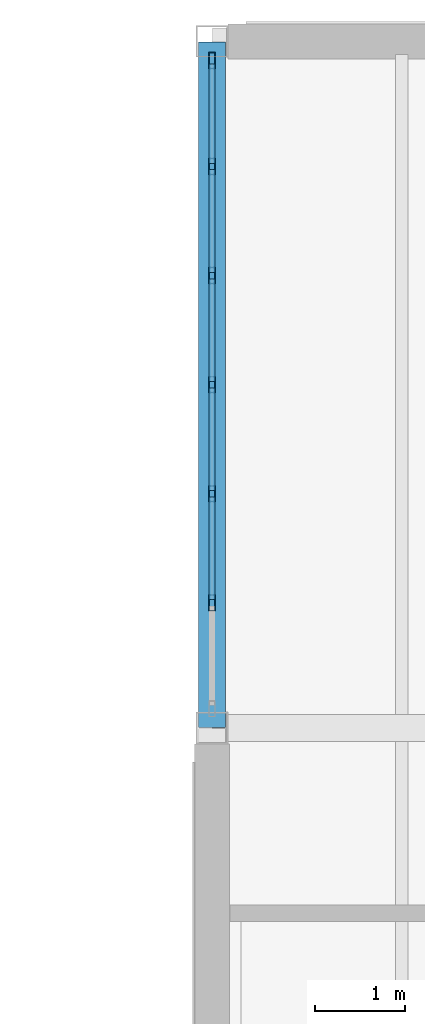
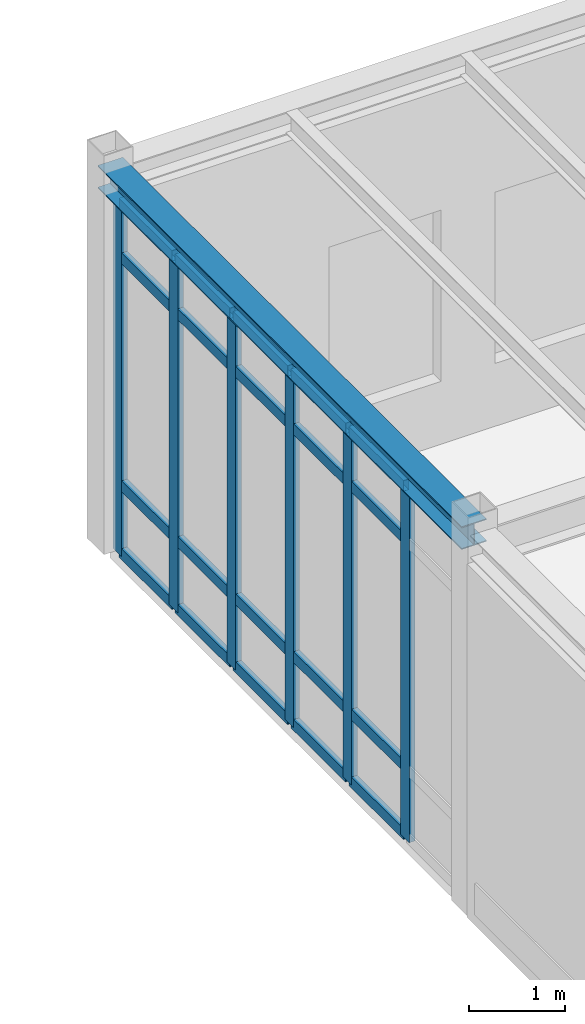
# One storey, part 57 of 109: 26 members, 1 beam, 1 element without a shape of its own.
"""IFC4 building model written with IfcOpenShell, lengths in metres."""

import ifcopenshell
import ifcopenshell.guid

model = None  # the IFC model being written
_history = None  # IfcOwnerHistory: only IFC2X3 demands one
_inside = {}  # id of a spatial element -> (the spatial element, [elements in it])
_under = {}  # id of a project, library or spatial element -> (it, [spatial elements below it])
_declared = {}  # id of a project -> (the project, [libraries it declares])
_typed = {}  # id of a type object -> (the type object, [elements of that type])
_made_of = {}  # id of a material, layer set ... -> (it, [elements and type objects made of it])


def new_model(schema):
    """Start an empty IFC model of exactly this schema.

    Asked for "IFC4X3", IfcOpenShell would pick the latest addendum, in which some entities
    have other attributes; the version numbers below select the first issue.
    IFC2X3 requires an IfcOwnerHistory on every rooted entity: one is made here for all.
    """
    global model, _history
    if schema == "IFC4X3":
        model = ifcopenshell.file(schema_version=(4, 3, 0, 0))
    else:
        model = ifcopenshell.file(schema=schema)
    _inside.clear()
    _under.clear()
    _declared.clear()
    _typed.clear()
    _made_of.clear()
    _history = None
    if model.schema == "IFC2X3":
        org = make("IfcOrganization", Name="unknown")
        user = make(
            "IfcPersonAndOrganization",
            ThePerson=make("IfcPerson", FamilyName="unknown"),
            TheOrganization=org,
        )
        app = make(
            "IfcApplication",
            ApplicationDeveloper=org,
            Version="unknown",
            ApplicationFullName="unknown",
            ApplicationIdentifier="unknown",
        )
        _history = make(
            "IfcOwnerHistory",
            OwningUser=user,
            OwningApplication=app,
            ChangeAction="ADDED",
            CreationDate=0,
        )
    return model


def make(cls, **values):
    """One entity of the class cls with the attributes given. An attribute that is None is left unset."""
    return model.create_entity(
        cls, **{name: value for name, value in values.items() if value is not None}
    )


def rooted(cls, **values):
    """An entity with a GlobalId (a new one), such as an element, a storey or a relation."""
    return make(cls, GlobalId=ifcopenshell.guid.new(), OwnerHistory=_history, **values)


def si_unit(unit_type, name, prefix=None):
    """IfcSIUnit, for example si_unit("LENGTHUNIT", "METRE", prefix="MILLI")."""
    return make("IfcSIUnit", UnitType=unit_type, Prefix=prefix, Name=name)


def assignment(units):
    """IfcUnitAssignment: the units of a project."""
    return None if units is None else make("IfcUnitAssignment", Units=units)


def point(xyz):
    """IfcCartesianPoint."""
    return None if xyz is None else make("IfcCartesianPoint", Coordinates=xyz)


def direction(xyz):
    """IfcDirection."""
    return None if xyz is None else make("IfcDirection", DirectionRatios=xyz)


def frame(location, z_axis=None, x_axis=None):
    """IfcAxis2Placement3D, a coordinate frame: its origin and axes. An axis left out is left unset."""
    return make(
        "IfcAxis2Placement3D",
        Location=point(location),
        Axis=direction(z_axis),
        RefDirection=direction(x_axis),
    )


def frame_2d(location, x_axis=None):
    """IfcAxis2Placement2D, a coordinate frame in the plane: its origin and x axis."""
    return make(
        "IfcAxis2Placement2D", Location=point(location), RefDirection=direction(x_axis)
    )


def origin():
    """The frame at (0, 0, 0) with its axes left unset."""
    return frame((0.0, 0.0, 0.0))


def origin_2d():
    """The frame at (0, 0) in the plane with its x axis left unset."""
    return frame_2d((0.0, 0.0))


def place(relative_to, where):
    """IfcLocalPlacement: puts the frame where relative to a parent placement (None: the world)."""
    return make(
        "IfcLocalPlacement", PlacementRelTo=relative_to, RelativePlacement=where
    )


def context(
    kind, dimensions, precision=None, world=None, true_north=None, identifier=None
):
    """IfcGeometricRepresentationContext, for example the 3D "Model" context."""
    return make(
        "IfcGeometricRepresentationContext",
        ContextIdentifier=identifier,
        ContextType=kind,
        CoordinateSpaceDimension=dimensions,
        Precision=precision,
        WorldCoordinateSystem=world,
        TrueNorth=true_north,
    )


def subcontext(parent, identifier, kind, view, scale=None):
    """IfcGeometricRepresentationSubContext, for example "Body" below "Model"."""
    return make(
        "IfcGeometricRepresentationSubContext",
        ContextIdentifier=identifier,
        ContextType=kind,
        ParentContext=parent,
        TargetScale=scale,
        TargetView=view,
    )


def project(units=None, contexts=None):
    """IfcProject with its units and contexts."""
    return rooted(
        "IfcProject",
        Name="project",
        RepresentationContexts=contexts,
        UnitsInContext=assignment(units),
    )


def spatial(cls, under=None, at=None, **own):
    """A site, building, storey or space (cls), placed at a placement, below another one or the project."""
    s = rooted(cls, ObjectPlacement=at, **own)
    if under is not None:
        _under.setdefault(under.id(), (under, []))[1].append(s)
    return s


def profile(cls, at=None, kind="AREA", **sizes):
    """A parametric profile (cls). Its sizes go by their IFC names, for example OverallWidth=200.0."""
    return make(cls, ProfileType=kind, Position=at, **sizes)


def hollow_rectangle(**sizes):
    """IfcRectangleHollowProfileDef."""
    return profile("IfcRectangleHollowProfileDef", **sizes)


def i_section(**sizes):
    """IfcIShapeProfileDef."""
    return profile("IfcIShapeProfileDef", **sizes)


def extrude(swept, where, along, depth):
    """IfcExtrudedAreaSolid: the profile swept, set in the frame where, extruded along a direction by depth."""
    return make(
        "IfcExtrudedAreaSolid",
        SweptArea=swept,
        Position=where,
        ExtrudedDirection=direction(along),
        Depth=depth,
    )


def shape(context_of_items, identifier, shape_type, items):
    """IfcShapeRepresentation: the items that make up one representation, for example the "Body"."""
    return make(
        "IfcShapeRepresentation",
        ContextOfItems=context_of_items,
        RepresentationIdentifier=identifier,
        RepresentationType=shape_type,
        Items=items,
    )


def material(Name=None, Category=None):
    """IfcMaterial."""
    return make("IfcMaterial", Name=Name, Category=Category)


def layer(
    of_material, thickness, ventilated=None, Name=None, Category=None, Priority=None
):
    """IfcMaterialLayer: one layer of a wall or slab, of a material (None: an air gap)."""
    return make(
        "IfcMaterialLayer",
        Material=of_material,
        LayerThickness=thickness,
        IsVentilated=ventilated,
        Name=Name,
        Category=Category,
        Priority=Priority,
    )


def layer_set(layers, Name=None):
    """IfcMaterialLayerSet."""
    return make("IfcMaterialLayerSet", MaterialLayers=layers, LayerSetName=Name)


def material_profile(
    of_material, cross_section, Name=None, Category=None, Priority=None
):
    """IfcMaterialProfile: a cross section and its material."""
    return make(
        "IfcMaterialProfile",
        Name=Name,
        Material=of_material,
        Profile=cross_section,
        Priority=Priority,
        Category=Category,
    )


def profile_set(profiles, Name=None, composite=None):
    """IfcMaterialProfileSet."""
    return make(
        "IfcMaterialProfileSet",
        Name=Name,
        MaterialProfiles=profiles,
        CompositeProfile=composite,
    )


def made_of(thing, what):
    """Note that an element or type object is made of a material, layer set ...; save() writes the relation."""
    if what is not None:
        _made_of.setdefault(what.id(), (what, []))[1].append(thing)
    return thing


def type_object(cls, material=None, **own):
    """A type object (cls), such as IfcWallType, which elements share."""
    return made_of(rooted(cls, **own), material)


def element(
    cls,
    number,
    at=None,
    inside=None,
    cuts=None,
    type_object=None,
    material=None,
    context=None,
    identifier="Body",
    shape_type=None,
    held_by="IfcProductDefinitionShape",
    body=None,
    shapes=None,
    **own,
):
    """One element of the class cls, such as IfcWall. Its Tag is "e" and its number.

    at: its placement. inside: the storey or other place that contains it. cuts: it is an
    opening in that element (IfcRelVoidsElement). A single representation is given by context,
    identifier, shape_type and body (its items); several are given by shapes. held_by: the class
    of the entity that holds the representations. save() writes the other relations.
    """
    e = rooted(cls, Tag="e%d" % number, ObjectPlacement=at, **own)
    if body is not None:
        shapes = [shape(context, identifier, shape_type, body)]
    if shapes is not None:
        e.Representation = make(held_by, Representations=shapes)
    if inside is not None:
        _inside.setdefault(inside.id(), (inside, []))[1].append(e)
    if cuts is not None:
        rooted(
            "IfcRelVoidsElement", RelatingBuildingElement=cuts, RelatedOpeningElement=e
        )
    if type_object is not None:
        _typed.setdefault(type_object.id(), (type_object, []))[1].append(e)
    return made_of(e, material)


def aggregate(whole, parts):
    """IfcRelAggregates: a whole, such as a stair, and the parts it consists of."""
    return rooted("IfcRelAggregates", RelatingObject=whole, RelatedObjects=parts)


def save(model, path):
    """Write the relations noted so far, then the file.

    IfcRelAggregates (storeys below a building ...), IfcRelContainedInSpatialStructure (elements
    in a storey), IfcRelDefinesByType, IfcRelAssociatesMaterial and IfcRelDeclares: one each for
    every whole, place, type object, material and project.
    """
    for whole, parts in _under.values():
        aggregate(whole, parts)
    for where, things in _inside.values():
        rooted(
            "IfcRelContainedInSpatialStructure",
            RelatedElements=things,
            RelatingStructure=where,
        )
    for kind, things in _typed.values():
        rooted("IfcRelDefinesByType", RelatedObjects=things, RelatingType=kind)
    for what, things in _made_of.values():
        rooted("IfcRelAssociatesMaterial", RelatedObjects=things, RelatingMaterial=what)
    for by, libraries in _declared.values():
        rooted("IfcRelDeclares", RelatingContext=by, RelatedDefinitions=libraries)
    model.write(path)


model = new_model("IFC4")

# Units and contexts
model_context = context("Model", 3, precision=1e-05, world=origin(), true_north=direction((0.0, 1.0)))
body_context = subcontext(model_context, "Body", "Model", "MODEL_VIEW")
ifc_project = project(units=[si_unit("LENGTHUNIT", "METRE"), si_unit("AREAUNIT", "SQUARE_METRE"), si_unit("VOLUMEUNIT", "CUBIC_METRE"), si_unit("PLANEANGLEUNIT", "RADIAN"), si_unit("MASSUNIT", "GRAM", prefix="KILO")], contexts=[model_context])

# Site, building, storey
site_placement = place(None, origin())
site = spatial("IfcSite", under=ifc_project, at=site_placement, CompositionType="ELEMENT")
building_placement = place(site_placement, origin())
building = spatial("IfcBuilding", under=site, at=building_placement, Name="Montecoro Central Library", CompositionType="ELEMENT")
storey_placement = place(building_placement, origin())
storey = spatial("IfcBuildingStorey", under=building, at=storey_placement, Name="L00", CompositionType="ELEMENT", Elevation=0.0)

# Beam
ifc_material_1 = material(Name="Steel S355", Category="steel")
ifc_material_profile_1 = material_profile(ifc_material_1, i_section(OverallWidth=0.300048828125, OverallDepth=0.2900390625, WebThickness=0.008544921875, FlangeThickness=0.013916015625, at=origin_2d()), Name="HEA 300")
ifc_profile_set_1 = profile_set([ifc_material_profile_1], Name="Steel S355")
beam_type = type_object("IfcBeamType", Name="BM-SP-HEA300", PredefinedType="SPANDREL", material=ifc_profile_set_1)
beam_placement = place(storey_placement, frame((66.39990234375, 111.405029296875, 4.699951171875), z_axis=(0.0, 1.0, 0.0), x_axis=(-1.0, 0.0, 0.0)))
element("IfcBeam", 1, at=beam_placement, inside=storey, type_object=beam_type, Name="V2-L00-BY-9-QR", PredefinedType="SPANDREL", context=body_context, shape_type="SweptSolid", body=[
    extrude(i_section(OverallWidth=0.300048828125, OverallDepth=0.2900390625, WebThickness=0.008544921875, FlangeThickness=0.013916015625, at=origin_2d()), origin(), (0.0, 0.0, 1.0), 7.590087890625),
])

# Curtain wall, members
ifc_material_2 = material(Name="Bronze-anodised aluminium and low-E glazing", Category="aluminium")
ifc_layer = layer(ifc_material_2, 0.159912109375)
ifc_layer_set = layer_set([ifc_layer], Name="Bronze-anodised aluminium and low-E glazing")
curtain_wall_type = type_object("IfcCurtainWallType", Name="CWT-009", PredefinedType="NOTDEFINED", material=ifc_layer_set)
curtain_wall_placement = place(storey_placement, origin())
curtain_wall = element("IfcCurtainWall", 2, at=curtain_wall_placement, inside=storey, type_object=curtain_wall_type, Name="V2-L00-CW-W4", PredefinedType="NOTDEFINED")
ifc_material_3 = material(Name="Bronze-anodised aluminium", Category="aluminium")
ifc_material_profile_2 = material_profile(ifc_material_3, hollow_rectangle(XDim=0.070068359375, YDim=0.179931640625, WallThickness=0.0048828125, at=origin_2d()), Name="CWM 180x70x5.0")
ifc_profile_set_2 = profile_set([ifc_material_profile_2], Name="Bronze-anodised aluminium")
member_type_1 = type_object("IfcMemberType", Name="CWM-BRZ-70", PredefinedType="MULLION", material=ifc_profile_set_2)
member_1_placement = place(storey_placement, frame((66.39990234375, 118.787109375, 0.0), z_axis=(0.0, 0.0, 1.0), x_axis=(1.0, 0.0, 0.0)))
member_1 = element("IfcMember", 3, at=member_1_placement, type_object=member_type_1, Name="CW-009 mullion 1", PredefinedType="MULLION", context=body_context, shape_type="SweptSolid", body=[
    extrude(hollow_rectangle(XDim=0.070068359375, YDim=0.179931640625, WallThickness=0.0048828125, at=origin_2d()), origin(), (0.0, 0.0, 1.0), 4.5),
])
member_2_placement = place(storey_placement, frame((66.39990234375, 117.61474609375, 0.0), z_axis=(0.0, 0.0, 1.0), x_axis=(1.0, 0.0, 0.0)))
member_2 = element("IfcMember", 4, at=member_2_placement, type_object=member_type_1, Name="CW-009 mullion 2", PredefinedType="MULLION", context=body_context, shape_type="SweptSolid", body=[
    extrude(hollow_rectangle(XDim=0.070068359375, YDim=0.179931640625, WallThickness=0.0048828125, at=origin_2d()), origin(), (0.0, 0.0, 1.0), 4.5),
])
member_3_placement = place(storey_placement, frame((66.39990234375, 116.4072265625, 0.0), z_axis=(0.0, 0.0, 1.0), x_axis=(1.0, 0.0, 0.0)))
member_3 = element("IfcMember", 5, at=member_3_placement, type_object=member_type_1, Name="CW-009 mullion 3", PredefinedType="MULLION", context=body_context, shape_type="SweptSolid", body=[
    extrude(hollow_rectangle(XDim=0.070068359375, YDim=0.179931640625, WallThickness=0.0048828125, at=origin_2d()), origin(), (0.0, 0.0, 1.0), 4.5),
])
member_4_placement = place(storey_placement, frame((66.39990234375, 115.199951171875, 0.0), z_axis=(0.0, 0.0, 1.0), x_axis=(1.0, 0.0, 0.0)))
member_4 = element("IfcMember", 6, at=member_4_placement, type_object=member_type_1, Name="CW-009 mullion 4", PredefinedType="MULLION", context=body_context, shape_type="SweptSolid", body=[
    extrude(hollow_rectangle(XDim=0.070068359375, YDim=0.179931640625, WallThickness=0.0048828125, at=origin_2d()), origin(), (0.0, 0.0, 1.0), 4.5),
])
member_5_placement = place(storey_placement, frame((66.39990234375, 113.99267578125, 0.0), z_axis=(0.0, 0.0, 1.0), x_axis=(1.0, 0.0, 0.0)))
member_5 = element("IfcMember", 7, at=member_5_placement, type_object=member_type_1, Name="CW-009 mullion 5", PredefinedType="MULLION", context=body_context, shape_type="SweptSolid", body=[
    extrude(hollow_rectangle(XDim=0.070068359375, YDim=0.179931640625, WallThickness=0.0048828125, at=origin_2d()), origin(), (0.0, 0.0, 1.0), 4.5),
])
member_6_placement = place(storey_placement, frame((66.39990234375, 112.785400390625, 0.0), z_axis=(0.0, 0.0, 1.0), x_axis=(1.0, 0.0, 0.0)))
member_6 = element("IfcMember", 8, at=member_6_placement, type_object=member_type_1, Name="CW-009 mullion 6", PredefinedType="MULLION", context=body_context, shape_type="SweptSolid", body=[
    extrude(hollow_rectangle(XDim=0.070068359375, YDim=0.179931640625, WallThickness=0.0048828125, at=origin_2d()), origin(), (0.0, 0.0, 1.0), 4.5),
])
ifc_material_profile_3 = material_profile(ifc_material_3, hollow_rectangle(XDim=0.070068359375, YDim=0.139892578125, WallThickness=0.00390625, at=origin_2d()), Name="CWT 140x70x4.0")
ifc_profile_set_3 = profile_set([ifc_material_profile_3], Name="Bronze-anodised aluminium")
member_type_2 = type_object("IfcMemberType", Name="CWT-BRZ-70", PredefinedType="USERDEFINED", material=ifc_profile_set_3)
member_7_placement = place(storey_placement, frame((66.39990234375, 118.751953125, 0.034912109375), z_axis=(0.0, -1.0, 0.0), x_axis=(1.0, 0.0, 0.0)))
member_7 = element("IfcMember", 9, at=member_7_placement, type_object=member_type_2, Name="CW-009 transom 1.1", ObjectType="TRANSOM", PredefinedType="USERDEFINED", context=body_context, shape_type="SweptSolid", body=[
    extrude(hollow_rectangle(XDim=0.070068359375, YDim=0.139892578125, WallThickness=0.00390625, at=origin_2d()), origin(), (0.0, 0.0, 1.0), 1.102294921875),
])
member_8_placement = place(storey_placement, frame((66.39990234375, 118.751953125, 0.89990234375), z_axis=(0.0, -1.0, 0.0), x_axis=(1.0, 0.0, 0.0)))
member_8 = element("IfcMember", 10, at=member_8_placement, type_object=member_type_2, Name="CW-009 transom 1.2", ObjectType="TRANSOM", PredefinedType="USERDEFINED", context=body_context, shape_type="SweptSolid", body=[
    extrude(hollow_rectangle(XDim=0.070068359375, YDim=0.139892578125, WallThickness=0.00390625, at=origin_2d()), origin(), (0.0, 0.0, 1.0), 1.102294921875),
])
member_9_placement = place(storey_placement, frame((66.39990234375, 118.751953125, 3.800048828125), z_axis=(0.0, -1.0, 0.0), x_axis=(1.0, 0.0, 0.0)))
member_9 = element("IfcMember", 11, at=member_9_placement, type_object=member_type_2, Name="CW-009 transom 1.3", ObjectType="TRANSOM", PredefinedType="USERDEFINED", context=body_context, shape_type="SweptSolid", body=[
    extrude(hollow_rectangle(XDim=0.070068359375, YDim=0.139892578125, WallThickness=0.00390625, at=origin_2d()), origin(), (0.0, 0.0, 1.0), 1.102294921875),
])
member_10_placement = place(storey_placement, frame((66.39990234375, 118.751953125, 4.465087890625), z_axis=(0.0, -1.0, 0.0), x_axis=(1.0, 0.0, 0.0)))
member_10 = element("IfcMember", 12, at=member_10_placement, type_object=member_type_2, Name="CW-009 transom 1.4", ObjectType="TRANSOM", PredefinedType="USERDEFINED", context=body_context, shape_type="SweptSolid", body=[
    extrude(hollow_rectangle(XDim=0.070068359375, YDim=0.139892578125, WallThickness=0.00390625, at=origin_2d()), origin(), (0.0, 0.0, 1.0), 1.102294921875),
])
member_11_placement = place(storey_placement, frame((66.39990234375, 117.57958984375, 0.034912109375), z_axis=(0.0, -1.0, 0.0), x_axis=(1.0, 0.0, 0.0)))
member_11 = element("IfcMember", 13, at=member_11_placement, type_object=member_type_2, Name="CW-009 transom 2.1", ObjectType="TRANSOM", PredefinedType="USERDEFINED", context=body_context, shape_type="SweptSolid", body=[
    extrude(hollow_rectangle(XDim=0.070068359375, YDim=0.139892578125, WallThickness=0.00390625, at=origin_2d()), origin(), (0.0, 0.0, 1.0), 1.13720703125),
])
member_12_placement = place(storey_placement, frame((66.39990234375, 117.57958984375, 0.89990234375), z_axis=(0.0, -1.0, 0.0), x_axis=(1.0, 0.0, 0.0)))
member_12 = element("IfcMember", 14, at=member_12_placement, type_object=member_type_2, Name="CW-009 transom 2.2", ObjectType="TRANSOM", PredefinedType="USERDEFINED", context=body_context, shape_type="SweptSolid", body=[
    extrude(hollow_rectangle(XDim=0.070068359375, YDim=0.139892578125, WallThickness=0.00390625, at=origin_2d()), origin(), (0.0, 0.0, 1.0), 1.13720703125),
])
member_13_placement = place(storey_placement, frame((66.39990234375, 117.57958984375, 3.800048828125), z_axis=(0.0, -1.0, 0.0), x_axis=(1.0, 0.0, 0.0)))
member_13 = element("IfcMember", 15, at=member_13_placement, type_object=member_type_2, Name="CW-009 transom 2.3", ObjectType="TRANSOM", PredefinedType="USERDEFINED", context=body_context, shape_type="SweptSolid", body=[
    extrude(hollow_rectangle(XDim=0.070068359375, YDim=0.139892578125, WallThickness=0.00390625, at=origin_2d()), origin(), (0.0, 0.0, 1.0), 1.13720703125),
])
member_14_placement = place(storey_placement, frame((66.39990234375, 117.57958984375, 4.465087890625), z_axis=(0.0, -1.0, 0.0), x_axis=(1.0, 0.0, 0.0)))
member_14 = element("IfcMember", 16, at=member_14_placement, type_object=member_type_2, Name="CW-009 transom 2.4", ObjectType="TRANSOM", PredefinedType="USERDEFINED", context=body_context, shape_type="SweptSolid", body=[
    extrude(hollow_rectangle(XDim=0.070068359375, YDim=0.139892578125, WallThickness=0.00390625, at=origin_2d()), origin(), (0.0, 0.0, 1.0), 1.13720703125),
])
member_15_placement = place(storey_placement, frame((66.39990234375, 116.372314453125, 0.034912109375), z_axis=(0.0, -1.0, 0.0), x_axis=(1.0, 0.0, 0.0)))
member_15 = element("IfcMember", 17, at=member_15_placement, type_object=member_type_2, Name="CW-009 transom 3.1", ObjectType="TRANSOM", PredefinedType="USERDEFINED", context=body_context, shape_type="SweptSolid", body=[
    extrude(hollow_rectangle(XDim=0.070068359375, YDim=0.139892578125, WallThickness=0.00390625, at=origin_2d()), origin(), (0.0, 0.0, 1.0), 1.13720703125),
])
member_16_placement = place(storey_placement, frame((66.39990234375, 116.372314453125, 0.89990234375), z_axis=(0.0, -1.0, 0.0), x_axis=(1.0, 0.0, 0.0)))
member_16 = element("IfcMember", 18, at=member_16_placement, type_object=member_type_2, Name="CW-009 transom 3.2", ObjectType="TRANSOM", PredefinedType="USERDEFINED", context=body_context, shape_type="SweptSolid", body=[
    extrude(hollow_rectangle(XDim=0.070068359375, YDim=0.139892578125, WallThickness=0.00390625, at=origin_2d()), origin(), (0.0, 0.0, 1.0), 1.13720703125),
])
member_17_placement = place(storey_placement, frame((66.39990234375, 116.372314453125, 3.800048828125), z_axis=(0.0, -1.0, 0.0), x_axis=(1.0, 0.0, 0.0)))
member_17 = element("IfcMember", 19, at=member_17_placement, type_object=member_type_2, Name="CW-009 transom 3.3", ObjectType="TRANSOM", PredefinedType="USERDEFINED", context=body_context, shape_type="SweptSolid", body=[
    extrude(hollow_rectangle(XDim=0.070068359375, YDim=0.139892578125, WallThickness=0.00390625, at=origin_2d()), origin(), (0.0, 0.0, 1.0), 1.13720703125),
])
member_18_placement = place(storey_placement, frame((66.39990234375, 116.372314453125, 4.465087890625), z_axis=(0.0, -1.0, 0.0), x_axis=(1.0, 0.0, 0.0)))
member_18 = element("IfcMember", 20, at=member_18_placement, type_object=member_type_2, Name="CW-009 transom 3.4", ObjectType="TRANSOM", PredefinedType="USERDEFINED", context=body_context, shape_type="SweptSolid", body=[
    extrude(hollow_rectangle(XDim=0.070068359375, YDim=0.139892578125, WallThickness=0.00390625, at=origin_2d()), origin(), (0.0, 0.0, 1.0), 1.13720703125),
])
member_19_placement = place(storey_placement, frame((66.39990234375, 115.1650390625, 0.034912109375), z_axis=(0.0, -1.0, 0.0), x_axis=(1.0, 0.0, 0.0)))
member_19 = element("IfcMember", 21, at=member_19_placement, type_object=member_type_2, Name="CW-009 transom 4.1", ObjectType="TRANSOM", PredefinedType="USERDEFINED", context=body_context, shape_type="SweptSolid", body=[
    extrude(hollow_rectangle(XDim=0.070068359375, YDim=0.139892578125, WallThickness=0.00390625, at=origin_2d()), origin(), (0.0, 0.0, 1.0), 1.137451171875),
])
member_20_placement = place(storey_placement, frame((66.39990234375, 115.1650390625, 0.89990234375), z_axis=(0.0, -1.0, 0.0), x_axis=(1.0, 0.0, 0.0)))
member_20 = element("IfcMember", 22, at=member_20_placement, type_object=member_type_2, Name="CW-009 transom 4.2", ObjectType="TRANSOM", PredefinedType="USERDEFINED", context=body_context, shape_type="SweptSolid", body=[
    extrude(hollow_rectangle(XDim=0.070068359375, YDim=0.139892578125, WallThickness=0.00390625, at=origin_2d()), origin(), (0.0, 0.0, 1.0), 1.137451171875),
])
member_21_placement = place(storey_placement, frame((66.39990234375, 115.1650390625, 3.800048828125), z_axis=(0.0, -1.0, 0.0), x_axis=(1.0, 0.0, 0.0)))
member_21 = element("IfcMember", 23, at=member_21_placement, type_object=member_type_2, Name="CW-009 transom 4.3", ObjectType="TRANSOM", PredefinedType="USERDEFINED", context=body_context, shape_type="SweptSolid", body=[
    extrude(hollow_rectangle(XDim=0.070068359375, YDim=0.139892578125, WallThickness=0.00390625, at=origin_2d()), origin(), (0.0, 0.0, 1.0), 1.137451171875),
])
member_22_placement = place(storey_placement, frame((66.39990234375, 115.1650390625, 4.465087890625), z_axis=(0.0, -1.0, 0.0), x_axis=(1.0, 0.0, 0.0)))
member_22 = element("IfcMember", 24, at=member_22_placement, type_object=member_type_2, Name="CW-009 transom 4.4", ObjectType="TRANSOM", PredefinedType="USERDEFINED", context=body_context, shape_type="SweptSolid", body=[
    extrude(hollow_rectangle(XDim=0.070068359375, YDim=0.139892578125, WallThickness=0.00390625, at=origin_2d()), origin(), (0.0, 0.0, 1.0), 1.137451171875),
])
member_23_placement = place(storey_placement, frame((66.39990234375, 113.957763671875, 0.034912109375), z_axis=(0.0, -1.0, 0.0), x_axis=(1.0, 0.0, 0.0)))
member_23 = element("IfcMember", 25, at=member_23_placement, type_object=member_type_2, Name="CW-009 transom 5.1", ObjectType="TRANSOM", PredefinedType="USERDEFINED", context=body_context, shape_type="SweptSolid", body=[
    extrude(hollow_rectangle(XDim=0.070068359375, YDim=0.139892578125, WallThickness=0.00390625, at=origin_2d()), origin(), (0.0, 0.0, 1.0), 1.137451171875),
])
member_24_placement = place(storey_placement, frame((66.39990234375, 113.957763671875, 0.89990234375), z_axis=(0.0, -1.0, 0.0), x_axis=(1.0, 0.0, 0.0)))
member_24 = element("IfcMember", 26, at=member_24_placement, type_object=member_type_2, Name="CW-009 transom 5.2", ObjectType="TRANSOM", PredefinedType="USERDEFINED", context=body_context, shape_type="SweptSolid", body=[
    extrude(hollow_rectangle(XDim=0.070068359375, YDim=0.139892578125, WallThickness=0.00390625, at=origin_2d()), origin(), (0.0, 0.0, 1.0), 1.137451171875),
])
member_25_placement = place(storey_placement, frame((66.39990234375, 113.957763671875, 3.800048828125), z_axis=(0.0, -1.0, 0.0), x_axis=(1.0, 0.0, 0.0)))
member_25 = element("IfcMember", 27, at=member_25_placement, type_object=member_type_2, Name="CW-009 transom 5.3", ObjectType="TRANSOM", PredefinedType="USERDEFINED", context=body_context, shape_type="SweptSolid", body=[
    extrude(hollow_rectangle(XDim=0.070068359375, YDim=0.139892578125, WallThickness=0.00390625, at=origin_2d()), origin(), (0.0, 0.0, 1.0), 1.137451171875),
])
member_26_placement = place(storey_placement, frame((66.39990234375, 113.957763671875, 4.465087890625), z_axis=(0.0, -1.0, 0.0), x_axis=(1.0, 0.0, 0.0)))
member_26 = element("IfcMember", 28, at=member_26_placement, type_object=member_type_2, Name="CW-009 transom 5.4", ObjectType="TRANSOM", PredefinedType="USERDEFINED", context=body_context, shape_type="SweptSolid", body=[
    extrude(hollow_rectangle(XDim=0.070068359375, YDim=0.139892578125, WallThickness=0.00390625, at=origin_2d()), origin(), (0.0, 0.0, 1.0), 1.137451171875),
])
aggregate(curtain_wall, [member_1, member_2, member_3, member_4, member_5, member_6, member_7, member_8, member_9, member_10, member_11, member_12, member_13, member_14, member_15, member_16, member_17, member_18, member_19, member_20, member_21, member_22, member_23, member_24, member_25, member_26])

save(model, "model.ifc")
